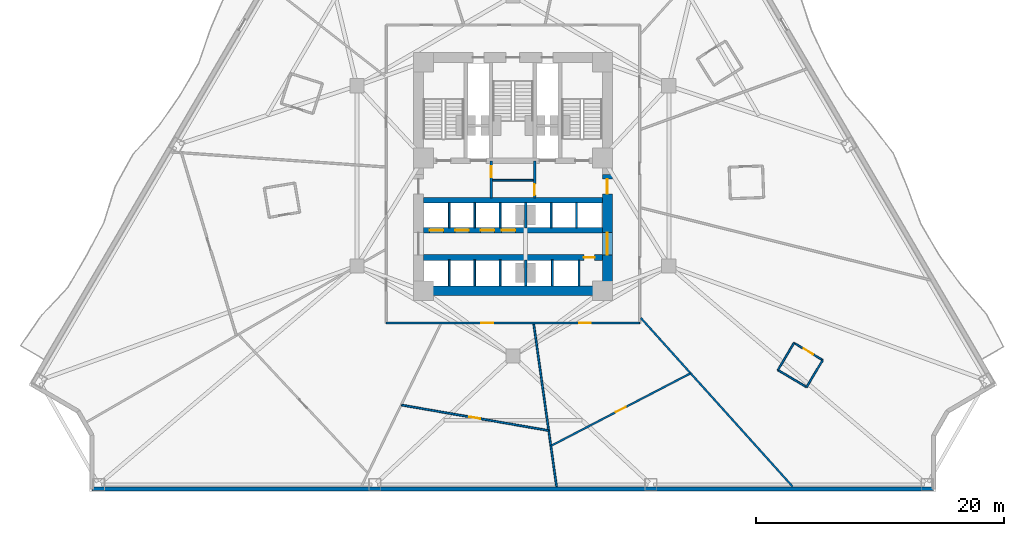
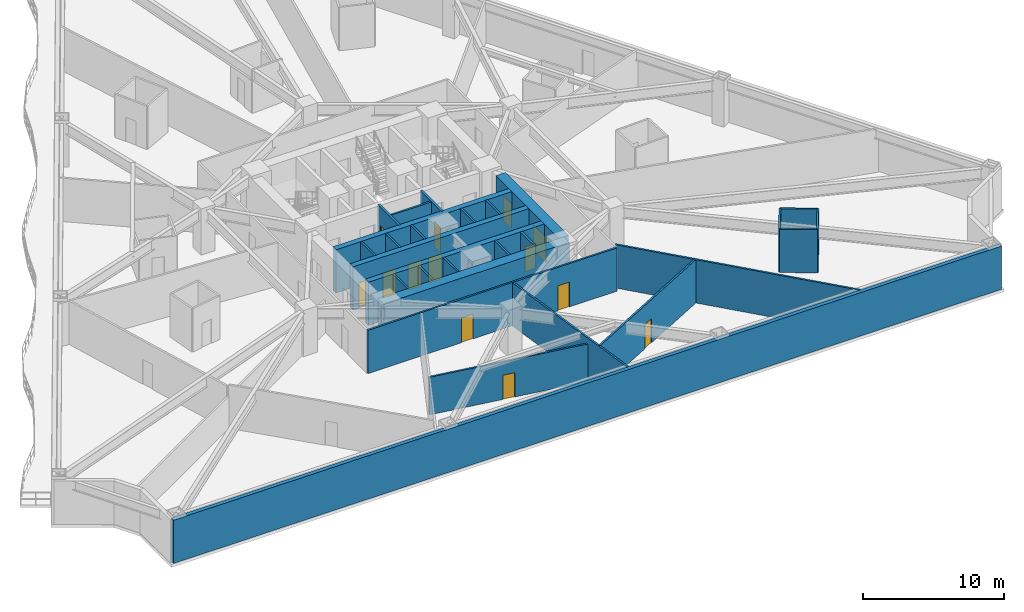
# One storey, part 4 of 11: 30 walls, 14 doors, 14 openings.
"""IFC4 building model written with IfcOpenShell, lengths in metres."""

import ifcopenshell
import ifcopenshell.guid

model = None  # the IFC model being written
_history = None  # IfcOwnerHistory: only IFC2X3 demands one
_inside = {}  # id of a spatial element -> (the spatial element, [elements in it])
_under = {}  # id of a project, library or spatial element -> (it, [spatial elements below it])
_declared = {}  # id of a project -> (the project, [libraries it declares])
_typed = {}  # id of a type object -> (the type object, [elements of that type])
_made_of = {}  # id of a material, layer set ... -> (it, [elements and type objects made of it])


def new_model(schema):
    """Start an empty IFC model of exactly this schema.

    Asked for "IFC4X3", IfcOpenShell would pick the latest addendum, in which some entities
    have other attributes; the version numbers below select the first issue.
    IFC2X3 requires an IfcOwnerHistory on every rooted entity: one is made here for all.
    """
    global model, _history
    if schema == "IFC4X3":
        model = ifcopenshell.file(schema_version=(4, 3, 0, 0))
    else:
        model = ifcopenshell.file(schema=schema)
    _inside.clear()
    _under.clear()
    _declared.clear()
    _typed.clear()
    _made_of.clear()
    _history = None
    if model.schema == "IFC2X3":
        org = make("IfcOrganization", Name="unknown")
        user = make(
            "IfcPersonAndOrganization",
            ThePerson=make("IfcPerson", FamilyName="unknown"),
            TheOrganization=org,
        )
        app = make(
            "IfcApplication",
            ApplicationDeveloper=org,
            Version="unknown",
            ApplicationFullName="unknown",
            ApplicationIdentifier="unknown",
        )
        _history = make(
            "IfcOwnerHistory",
            OwningUser=user,
            OwningApplication=app,
            ChangeAction="ADDED",
            CreationDate=0,
        )
    return model


def make(cls, **values):
    """One entity of the class cls with the attributes given. An attribute that is None is left unset."""
    return model.create_entity(
        cls, **{name: value for name, value in values.items() if value is not None}
    )


def rooted(cls, **values):
    """An entity with a GlobalId (a new one), such as an element, a storey or a relation."""
    return make(cls, GlobalId=ifcopenshell.guid.new(), OwnerHistory=_history, **values)


def si_unit(unit_type, name, prefix=None):
    """IfcSIUnit, for example si_unit("LENGTHUNIT", "METRE", prefix="MILLI")."""
    return make("IfcSIUnit", UnitType=unit_type, Prefix=prefix, Name=name)


def assignment(units):
    """IfcUnitAssignment: the units of a project."""
    return None if units is None else make("IfcUnitAssignment", Units=units)


def point(xyz):
    """IfcCartesianPoint."""
    return None if xyz is None else make("IfcCartesianPoint", Coordinates=xyz)


def direction(xyz):
    """IfcDirection."""
    return None if xyz is None else make("IfcDirection", DirectionRatios=xyz)


def frame(location, z_axis=None, x_axis=None):
    """IfcAxis2Placement3D, a coordinate frame: its origin and axes. An axis left out is left unset."""
    return make(
        "IfcAxis2Placement3D",
        Location=point(location),
        Axis=direction(z_axis),
        RefDirection=direction(x_axis),
    )


def frame_2d(location, x_axis=None):
    """IfcAxis2Placement2D, a coordinate frame in the plane: its origin and x axis."""
    return make(
        "IfcAxis2Placement2D", Location=point(location), RefDirection=direction(x_axis)
    )


def origin():
    """The frame at (0, 0, 0) with its axes left unset."""
    return frame((0.0, 0.0, 0.0))


def place(relative_to, where):
    """IfcLocalPlacement: puts the frame where relative to a parent placement (None: the world)."""
    return make(
        "IfcLocalPlacement", PlacementRelTo=relative_to, RelativePlacement=where
    )


def context(
    kind, dimensions, precision=None, world=None, true_north=None, identifier=None
):
    """IfcGeometricRepresentationContext, for example the 3D "Model" context."""
    return make(
        "IfcGeometricRepresentationContext",
        ContextIdentifier=identifier,
        ContextType=kind,
        CoordinateSpaceDimension=dimensions,
        Precision=precision,
        WorldCoordinateSystem=world,
        TrueNorth=true_north,
    )


def subcontext(parent, identifier, kind, view, scale=None):
    """IfcGeometricRepresentationSubContext, for example "Body" below "Model"."""
    return make(
        "IfcGeometricRepresentationSubContext",
        ContextIdentifier=identifier,
        ContextType=kind,
        ParentContext=parent,
        TargetScale=scale,
        TargetView=view,
    )


def project(units=None, contexts=None):
    """IfcProject with its units and contexts."""
    return rooted(
        "IfcProject",
        Name="project",
        RepresentationContexts=contexts,
        UnitsInContext=assignment(units),
    )


def spatial(cls, under=None, at=None, **own):
    """A site, building, storey or space (cls), placed at a placement, below another one or the project."""
    s = rooted(cls, ObjectPlacement=at, **own)
    if under is not None:
        _under.setdefault(under.id(), (under, []))[1].append(s)
    return s


def profile(cls, at=None, kind="AREA", **sizes):
    """A parametric profile (cls). Its sizes go by their IFC names, for example OverallWidth=200.0."""
    return make(cls, ProfileType=kind, Position=at, **sizes)


def rectangle(**sizes):
    """IfcRectangleProfileDef."""
    return profile("IfcRectangleProfileDef", **sizes)


def extrude(swept, where, along, depth):
    """IfcExtrudedAreaSolid: the profile swept, set in the frame where, extruded along a direction by depth."""
    return make(
        "IfcExtrudedAreaSolid",
        SweptArea=swept,
        Position=where,
        ExtrudedDirection=direction(along),
        Depth=depth,
    )


def shape(context_of_items, identifier, shape_type, items):
    """IfcShapeRepresentation: the items that make up one representation, for example the "Body"."""
    return make(
        "IfcShapeRepresentation",
        ContextOfItems=context_of_items,
        RepresentationIdentifier=identifier,
        RepresentationType=shape_type,
        Items=items,
    )


def material(Name=None, Category=None):
    """IfcMaterial."""
    return make("IfcMaterial", Name=Name, Category=Category)


def layer(
    of_material, thickness, ventilated=None, Name=None, Category=None, Priority=None
):
    """IfcMaterialLayer: one layer of a wall or slab, of a material (None: an air gap)."""
    return make(
        "IfcMaterialLayer",
        Material=of_material,
        LayerThickness=thickness,
        IsVentilated=ventilated,
        Name=Name,
        Category=Category,
        Priority=Priority,
    )


def layer_set(layers, Name=None):
    """IfcMaterialLayerSet."""
    return make("IfcMaterialLayerSet", MaterialLayers=layers, LayerSetName=Name)


def made_of(thing, what):
    """Note that an element or type object is made of a material, layer set ...; save() writes the relation."""
    if what is not None:
        _made_of.setdefault(what.id(), (what, []))[1].append(thing)
    return thing


def type_object(cls, material=None, **own):
    """A type object (cls), such as IfcWallType, which elements share."""
    return made_of(rooted(cls, **own), material)


def element(
    cls,
    number,
    at=None,
    inside=None,
    cuts=None,
    type_object=None,
    material=None,
    context=None,
    identifier="Body",
    shape_type=None,
    held_by="IfcProductDefinitionShape",
    body=None,
    shapes=None,
    **own,
):
    """One element of the class cls, such as IfcWall. Its Tag is "e" and its number.

    at: its placement. inside: the storey or other place that contains it. cuts: it is an
    opening in that element (IfcRelVoidsElement). A single representation is given by context,
    identifier, shape_type and body (its items); several are given by shapes. held_by: the class
    of the entity that holds the representations. save() writes the other relations.
    """
    e = rooted(cls, Tag="e%d" % number, ObjectPlacement=at, **own)
    if body is not None:
        shapes = [shape(context, identifier, shape_type, body)]
    if shapes is not None:
        e.Representation = make(held_by, Representations=shapes)
    if inside is not None:
        _inside.setdefault(inside.id(), (inside, []))[1].append(e)
    if cuts is not None:
        rooted(
            "IfcRelVoidsElement", RelatingBuildingElement=cuts, RelatedOpeningElement=e
        )
    if type_object is not None:
        _typed.setdefault(type_object.id(), (type_object, []))[1].append(e)
    return made_of(e, material)


def fill(opening, filler):
    """IfcRelFillsElement: the door or window that sits in an opening."""
    return rooted(
        "IfcRelFillsElement",
        RelatingOpeningElement=opening,
        RelatedBuildingElement=filler,
    )


def aggregate(whole, parts):
    """IfcRelAggregates: a whole, such as a stair, and the parts it consists of."""
    return rooted("IfcRelAggregates", RelatingObject=whole, RelatedObjects=parts)


def save(model, path):
    """Write the relations noted so far, then the file.

    IfcRelAggregates (storeys below a building ...), IfcRelContainedInSpatialStructure (elements
    in a storey), IfcRelDefinesByType, IfcRelAssociatesMaterial and IfcRelDeclares: one each for
    every whole, place, type object, material and project.
    """
    for whole, parts in _under.values():
        aggregate(whole, parts)
    for where, things in _inside.values():
        rooted(
            "IfcRelContainedInSpatialStructure",
            RelatedElements=things,
            RelatingStructure=where,
        )
    for kind, things in _typed.values():
        rooted("IfcRelDefinesByType", RelatedObjects=things, RelatingType=kind)
    for what, things in _made_of.values():
        rooted("IfcRelAssociatesMaterial", RelatedObjects=things, RelatingMaterial=what)
    for by, libraries in _declared.values():
        rooted("IfcRelDeclares", RelatingContext=by, RelatedDefinitions=libraries)
    model.write(path)


model = new_model("IFC4")

# Units and contexts
model_context = context("Model", 3, precision=1e-05, world=origin(), true_north=direction((0.0, 1.0)))
body_context = subcontext(model_context, "Body", "Model", "MODEL_VIEW")
ifc_project = project(units=[si_unit("LENGTHUNIT", "METRE"), si_unit("AREAUNIT", "SQUARE_METRE"), si_unit("VOLUMEUNIT", "CUBIC_METRE"), si_unit("PLANEANGLEUNIT", "RADIAN"), si_unit("MASSUNIT", "GRAM", prefix="KILO")], contexts=[model_context])

# Site, building, storey
site_placement = place(None, origin())
site = spatial("IfcSite", under=ifc_project, at=site_placement, CompositionType="ELEMENT")
building_placement = place(site_placement, origin())
building = spatial("IfcBuilding", under=site, at=building_placement, Name="Apsidion Concourse Tower", CompositionType="ELEMENT")
storey_placement = place(building_placement, frame((0.0, 0.0, 54.39990234375)))
storey = spatial("IfcBuildingStorey", under=building, at=storey_placement, Name="L11", CompositionType="ELEMENT", Elevation=54.39990234375)

# Walls
ifc_material_1 = material(Name="Precast concrete C40/50", Category="concrete")
ifc_layer_1 = layer(ifc_material_1, 0.320068359375)
ifc_layer_set_1 = layer_set([ifc_layer_1], Name="Precast concrete C40/50")
wall_type_1 = type_object("IfcWallType", Name="WL-EXT-320", PredefinedType="STANDARD", material=ifc_layer_set_1)
wall_1_placement = place(storey_placement, frame((33.88818359375, -25.199951171875, 0.0), z_axis=(0.0, 0.0, 1.0), x_axis=(-1.0, 0.0, 0.0)))
element("IfcWall", 1, at=wall_1_placement, inside=storey, type_object=wall_type_1, Name="L11 Precast Stone Facade Wall 05", PredefinedType="STANDARD", context=body_context, shape_type="SweptSolid", body=[
    extrude(rectangle(XDim=67.7763671875, YDim=0.320068359375, at=frame_2d((33.88818359375, 0.0))), origin(), (0.0, 0.0, 1.0), 3.75),
])
ifc_material_2 = material(Name="Gypsum plasterboard partition")
ifc_layer_2 = layer(ifc_material_2, 0.139892578125)
ifc_layer_set_2 = layer_set([ifc_layer_2], Name="Gypsum plasterboard partition")
wall_type_2 = type_object("IfcWallType", Name="WL-INT-PAR-140", PredefinedType="PARTITIONING", material=ifc_layer_set_2)
wall_2_placement = place(storey_placement, frame((21.3369140625, -15.629150390625, 0.0), z_axis=(0.0, 0.0, 1.0), x_axis=(0.858092929116, -0.513494425482, 0.0)))
element("IfcWall", 2, at=wall_2_placement, inside=storey, type_object=wall_type_2, Name="L11 Interior Partition WL-L11-POD-ENS04-S1", PredefinedType="PARTITIONING", context=body_context, shape_type="SweptSolid", body=[
    extrude(rectangle(XDim=2.690185546875, YDim=0.139892578125, at=frame_2d((1.34521484375, 0.0))), origin(), (0.0, 0.0, 1.0), 3.75),
])
wall_3_placement = place(storey_placement, frame((23.645263671875, -17.010498046875, 0.0), z_axis=(0.0, 0.0, 1.0), x_axis=(0.51356253356, 0.858052168649, 0.0)))
element("IfcWall", 3, at=wall_3_placement, inside=storey, type_object=wall_type_2, Name="L11 Interior Partition WL-L11-POD-ENS04-S2", PredefinedType="PARTITIONING", context=body_context, shape_type="SweptSolid", body=[
    extrude(rectangle(XDim=2.5400390625, YDim=0.139892578125, at=frame_2d((1.27001953125, 0.0))), origin(), (0.0, 0.0, 1.0), 3.75),
])

# Wall, opening, door
wall_4_placement = place(storey_placement, frame((24.94970703125, -14.8310546875, 0.0), z_axis=(0.0, 0.0, 1.0), x_axis=(-0.858092929116, 0.513494425482, 0.0)))
wall_4 = element("IfcWall", 4, at=wall_4_placement, inside=storey, type_object=wall_type_2, Name="L11 Interior Partition WL-L11-POD-ENS04-S3", PredefinedType="PARTITIONING", context=body_context, shape_type="SweptSolid", body=[
    extrude(rectangle(XDim=2.690185546875, YDim=0.139892578125, at=frame_2d((1.34521484375, 0.0))), origin(), (0.0, 0.0, 1.0), 3.75),
])
opening_1_placement = place(wall_4_placement, frame((0.905029296875, 0.0, 0.0)))
opening_1 = element("IfcOpeningElement", 5, at=opening_1_placement, cuts=wall_4, Name="Opening D-03L", PredefinedType="OPENING", context=body_context, shape_type="SweptSolid", body=[
    extrude(rectangle(XDim=0.8798828125, YDim=2.10009765625, at=frame_2d((0.43994140625, 1.050048828125))), frame((0.0, 0.080078125, 0.0), z_axis=(0.0, -1.0, 0.0), x_axis=(1.0, 0.0, 0.0)), (0.0, 0.0, 1.0), 0.159912109375),
])
ifc_material_3 = material(Name="Anodised aluminium EN AW-6063 T6", Category="aluminium")
door_type_1 = type_object("IfcDoorType", Name="DR-INT-D03L", OperationType="SINGLE_SWING_LEFT", PredefinedType="DOOR", material=ifc_material_3)
door_1_placement = place(opening_1_placement, origin())
door_1 = element("IfcDoor", 6, at=door_1_placement, inside=storey, type_object=door_type_1, Name="L11 Guest En-Suite Bathroom Door ENS04", OperationType="SINGLE_SWING_LEFT", OverallHeight=2.10009765625, OverallWidth=0.8798828125, PredefinedType="DOOR", context=body_context, shape_type="SweptSolid", body=[
    extrude(rectangle(XDim=0.8798828125, YDim=2.10009765625, at=frame_2d((0.43994140625, 1.050048828125))), frame((0.0, 0.02490234375, 0.0), z_axis=(0.0, -1.0, 0.0), x_axis=(1.0, 0.0, 0.0)), (0.0, 0.0, 1.0), 0.050048828125),
])
fill(opening_1, door_1)

# Walls
wall_5_placement = place(storey_placement, frame((22.641357421875, -13.44970703125, 0.0), z_axis=(0.0, 0.0, 1.0), x_axis=(-0.51356253356, -0.858052168649, 0.0)))
element("IfcWall", 7, at=wall_5_placement, inside=storey, type_object=wall_type_2, Name="L11 Interior Partition WL-L11-POD-ENS04-S4", PredefinedType="PARTITIONING", context=body_context, shape_type="SweptSolid", body=[
    extrude(rectangle(XDim=2.5400390625, YDim=0.139892578125, at=frame_2d((1.27001953125, 0.0))), origin(), (0.0, 0.0, 1.0), 3.75),
])
ifc_layer_3 = layer(ifc_material_2, 0.14990234375)
ifc_layer_set_3 = layer_set([ifc_layer_3], Name="Gypsum plasterboard partition")
wall_type_3 = type_object("IfcWallType", Name="WL-INT-PAR-150", PredefinedType="PARTITIONING", material=ifc_layer_set_3)
for number, where, z_axis, x_axis, name in (
    (8, (-5.125, -4.179931640625, 0.0), (0.0, 0.0, 1.0), (0.0, 1.0, 0.0), "L11 Interior Partition WL-L11-B1DIV-1"),
    (9, (-3.074951171875, -4.179931640625, 0.0), (0.0, 0.0, 1.0), (0.0, 1.0, 0.0), "L11 Interior Partition WL-L11-B1DIV-2"),
    (10, (-1.02490234375, -4.179931640625, 0.0), (0.0, 0.0, 1.0), (0.0, 1.0, 0.0), "L11 Interior Partition WL-L11-B1DIV-3"),
    (11, (3.074951171875, -4.179931640625, 0.0), (0.0, 0.0, 1.0), (0.0, 1.0, 0.0), "L11 Interior Partition WL-L11-B3DIV-1"),
    (12, (5.125, -4.179931640625, 0.0), (0.0, 0.0, 1.0), (0.0, 1.0, 0.0), "L11 Interior Partition WL-L11-B3DIV-2"),
):
    element("IfcWall", number, at=place(storey_placement, frame(where, z_axis=z_axis, x_axis=x_axis)), inside=storey, type_object=wall_type_3, Name=name, PredefinedType="PARTITIONING", context=body_context, shape_type="SweptSolid", body=[
        extrude(rectangle(XDim=2.030029296875, YDim=0.14990234375, at=frame_2d((1.01513671875, 0.0))), origin(), (0.0, 0.0, 1.0), 3.75),
    ])
for number, where, z_axis, x_axis, name in (
    (13, (-5.125, -8.85009765625, 0.0), (0.0, 0.0, 1.0), (0.0, 1.0, 0.0), "L11 Interior Partition WL-L11-B2DIV-1"),
    (14, (-3.074951171875, -8.85009765625, 0.0), (0.0, 0.0, 1.0), (0.0, 1.0, 0.0), "L11 Interior Partition WL-L11-B2DIV-2"),
    (15, (-1.02490234375, -8.85009765625, 0.0), (0.0, 0.0, 1.0), (0.0, 1.0, 0.0), "L11 Interior Partition WL-L11-B2DIV-3"),
    (16, (3.175048828125, -8.85009765625, 0.0), (0.0, 0.0, 1.0), (0.0, 1.0, 0.0), "L11 Interior Partition WL-L11-SHDIV-1"),
):
    element("IfcWall", number, at=place(storey_placement, frame(where, z_axis=z_axis, x_axis=x_axis)), inside=storey, type_object=wall_type_3, Name=name, PredefinedType="PARTITIONING", context=body_context, shape_type="SweptSolid", body=[
        extrude(rectangle(XDim=2.080078125, YDim=0.14990234375, at=frame_2d((1.0400390625, 0.0))), origin(), (0.0, 0.0, 1.0), 3.75),
    ])
wall_6_placement = place(storey_placement, frame((-1.6298828125, -0.35009765625, 0.0), z_axis=(0.0, 0.0, 1.0), x_axis=(1.0, 0.0, 0.0)))
element("IfcWall", 17, at=wall_6_placement, inside=storey, type_object=wall_type_3, Name="L11 Interior Partition WL-L11-K2H", PredefinedType="PARTITIONING", context=body_context, shape_type="SweptSolid", body=[
    extrude(rectangle(XDim=3.259765625, YDim=0.14990234375, at=frame_2d((1.6298828125, 0.0))), origin(), (0.0, 0.0, 1.0), 3.75),
])

# Wall, openings, doors
wall_7_placement = place(storey_placement, frame((10.199951171875, -11.85009765625, 0.0), z_axis=(0.0, 0.0, 1.0), x_axis=(-1.0, 0.0, 0.0)))
wall_7 = element("IfcWall", 18, at=wall_7_placement, inside=storey, type_object=wall_type_3, Name="L11 Interior Partition WL-L11-CORR-03", PredefinedType="PARTITIONING", context=body_context, shape_type="SweptSolid", body=[
    extrude(rectangle(XDim=20.39990234375, YDim=0.14990234375, at=frame_2d((10.199951171875, 0.0))), origin(), (0.0, 0.0, 1.0), 3.75),
])
opening_2_placement = place(wall_7_placement, frame((11.795654296875, 0.0, 0.0)))
opening_2 = element("IfcOpeningElement", 19, at=opening_2_placement, cuts=wall_7, Name="Opening D-01L", PredefinedType="OPENING", context=body_context, shape_type="SweptSolid", body=[
    extrude(rectangle(XDim=0.949951171875, YDim=2.14990234375, at=frame_2d((0.47509765625, 1.074951171875))), frame((0.0, 0.0849609375, 0.0), z_axis=(0.0, -1.0, 0.0), x_axis=(1.0, 0.0, 0.0)), (0.0, 0.0, 1.0), 0.169921875),
])
opening_3_placement = place(wall_7_placement, frame((3.9130859375, 0.0, 0.0)))
opening_3 = element("IfcOpeningElement", 20, at=opening_3_placement, cuts=wall_7, Name="Opening D-01R", PredefinedType="OPENING", context=body_context, shape_type="SweptSolid", body=[
    extrude(rectangle(XDim=0.949951171875, YDim=2.14990234375, at=frame_2d((0.47509765625, 1.074951171875))), frame((0.0, 0.0849609375, 0.0), z_axis=(0.0, -1.0, 0.0), x_axis=(1.0, 0.0, 0.0)), (0.0, 0.0, 1.0), 0.169921875),
])
ifc_material_4 = material(Name="Brushed stainless steel 316", Category="steel")
door_type_2 = type_object("IfcDoorType", Name="DR-INT-D01L", OperationType="SINGLE_SWING_LEFT", PredefinedType="DOOR", material=ifc_material_4)
door_2_placement = place(opening_2_placement, origin())
door_2 = element("IfcDoor", 21, at=door_2_placement, inside=storey, type_object=door_type_2, Name="L11 Corridor Entry Door 03", OperationType="SINGLE_SWING_LEFT", OverallHeight=2.14990234375, OverallWidth=0.949951171875, PredefinedType="DOOR", context=body_context, shape_type="SweptSolid", body=[
    extrude(rectangle(XDim=0.949951171875, YDim=2.14990234375, at=frame_2d((0.47509765625, 1.074951171875))), frame((0.0, 0.02490234375, 0.0), z_axis=(0.0, -1.0, 0.0), x_axis=(1.0, 0.0, 0.0)), (0.0, 0.0, 1.0), 0.050048828125),
])
fill(opening_2, door_2)
door_type_3 = type_object("IfcDoorType", Name="DR-INT-D01R", OperationType="SINGLE_SWING_RIGHT", PredefinedType="DOOR", material=ifc_material_4)
door_3_placement = place(opening_3_placement, origin())
door_3 = element("IfcDoor", 22, at=door_3_placement, inside=storey, type_object=door_type_3, Name="L11 Corridor Entry Door 04", OperationType="SINGLE_SWING_RIGHT", OverallHeight=2.14990234375, OverallWidth=0.949951171875, PredefinedType="DOOR", context=body_context, shape_type="SweptSolid", body=[
    extrude(rectangle(XDim=0.949951171875, YDim=2.14990234375, at=frame_2d((0.47509765625, 1.074951171875))), frame((0.0, 0.02490234375, 0.0), z_axis=(0.0, -1.0, 0.0), x_axis=(1.0, 0.0, 0.0)), (0.0, 0.0, 1.0), 0.050048828125),
])
fill(opening_3, door_3)

# Walls
wall_8_placement = place(storey_placement, frame((1.68017578125, -11.955078125, 0.0), z_axis=(0.0, 0.0, 1.0), x_axis=(0.139178306215, -0.990267337177, 0.0)))
element("IfcWall", 23, at=wall_8_placement, inside=storey, type_object=wall_type_3, Name="L11 Interior Partition WL-L11-RAD-09-1", PredefinedType="PARTITIONING", context=body_context, shape_type="SweptSolid", body=[
    extrude(rectangle(XDim=13.1982421875, YDim=0.14990234375, at=frame_2d((6.59912109375, 0.0))), origin(), (0.0, 0.0, 1.0), 3.75),
])
wall_9_placement = place(storey_placement, frame((10.304931640625, -11.44482421875, 0.0), z_axis=(0.0, 0.0, 1.0), x_axis=(0.669137434477, -0.743138677355, 0.0)))
element("IfcWall", 24, at=wall_9_placement, inside=storey, type_object=wall_type_3, Name="L11 Interior Partition WL-L11-RAD-10-1", PredefinedType="PARTITIONING", context=body_context, shape_type="SweptSolid", body=[
    extrude(rectangle(XDim=18.27392578125, YDim=0.14990234375, at=frame_2d((9.136962890625, 0.0))), origin(), (0.0, 0.0, 1.0), 3.75),
])

# Wall, opening, door
wall_10_placement = place(storey_placement, frame((-8.97216796875, -18.45263671875, 0.0), z_axis=(0.0, 0.0, 1.0), x_axis=(0.985300581804, -0.170829632957, 0.0)))
wall_10 = element("IfcWall", 25, at=wall_10_placement, inside=storey, type_object=wall_type_3, Name="L11 Interior Partition WL-L11-CHD-HXS02", PredefinedType="PARTITIONING", context=body_context, shape_type="SweptSolid", body=[
    extrude(rectangle(XDim=12.0048828125, YDim=0.14990234375, at=frame_2d((6.00244140625, 0.0))), origin(), (0.0, 0.0, 1.0), 3.254150390625),
])
opening_4_placement = place(wall_10_placement, frame((5.552490234375, 0.0, 0.0)))
opening_4 = element("IfcOpeningElement", 26, at=opening_4_placement, cuts=wall_10, Name="Opening D-02R", PredefinedType="OPENING", context=body_context, shape_type="SweptSolid", body=[
    extrude(rectangle(XDim=0.89990234375, YDim=2.10009765625, at=frame_2d((0.449951171875, 1.050048828125))), frame((0.0, 0.0849609375, 0.0), z_axis=(0.0, -1.0, 0.0), x_axis=(1.0, 0.0, 0.0)), (0.0, 0.0, 1.0), 0.169921875),
])
door_type_4 = type_object("IfcDoorType", Name="DR-INT-D02R", OperationType="SINGLE_SWING_RIGHT", PredefinedType="DOOR", material=ifc_material_3)
door_4_placement = place(opening_4_placement, origin())
door_4 = element("IfcDoor", 27, at=door_4_placement, inside=storey, type_object=door_type_4, Name="L11 Suite Connecting Door HXS02", OperationType="SINGLE_SWING_RIGHT", OverallHeight=2.10009765625, OverallWidth=0.89990234375, PredefinedType="DOOR", context=body_context, shape_type="SweptSolid", body=[
    extrude(rectangle(XDim=0.89990234375, YDim=2.10009765625, at=frame_2d((0.449951171875, 1.050048828125))), frame((0.0, 0.02490234375, 0.0), z_axis=(0.0, -1.0, 0.0), x_axis=(1.0, 0.0, 0.0)), (0.0, 0.0, 1.0), 0.050048828125),
])
fill(opening_4, door_4)

wall_11_placement = place(storey_placement, frame((3.079345703125, -21.731689453125, 0.0), z_axis=(0.0, 0.0, 1.0), x_axis=(0.887285458414, 0.461220679596, 0.0)))
wall_11 = element("IfcWall", 28, at=wall_11_placement, inside=storey, type_object=wall_type_3, Name="L11 Interior Partition WL-L11-CHD-HXS03", PredefinedType="PARTITIONING", context=body_context, shape_type="SweptSolid", body=[
    extrude(rectangle(XDim=12.632080078125, YDim=0.14990234375, at=frame_2d((6.31591796875, 0.0))), origin(), (0.0, 0.0, 1.0), 3.75),
])
opening_5_placement = place(wall_11_placement, frame((5.865966796875, 0.0, 0.0)))
opening_5 = element("IfcOpeningElement", 29, at=opening_5_placement, cuts=wall_11, Name="Opening D-02L", PredefinedType="OPENING", context=body_context, shape_type="SweptSolid", body=[
    extrude(rectangle(XDim=0.89990234375, YDim=2.10009765625, at=frame_2d((0.449951171875, 1.050048828125))), frame((0.0, 0.0849609375, 0.0), z_axis=(0.0, -1.0, 0.0), x_axis=(1.0, 0.0, 0.0)), (0.0, 0.0, 1.0), 0.169921875),
])
door_type_5 = type_object("IfcDoorType", Name="DR-INT-D02L", OperationType="SINGLE_SWING_LEFT", PredefinedType="DOOR", material=ifc_material_3)
door_5_placement = place(opening_5_placement, origin())
door_5 = element("IfcDoor", 30, at=door_5_placement, inside=storey, type_object=door_type_5, Name="L11 Suite Connecting Door HXS03", OperationType="SINGLE_SWING_LEFT", OverallHeight=2.10009765625, OverallWidth=0.89990234375, PredefinedType="DOOR", context=body_context, shape_type="SweptSolid", body=[
    extrude(rectangle(XDim=0.89990234375, YDim=2.10009765625, at=frame_2d((0.449951171875, 1.050048828125))), frame((0.0, 0.02490234375, 0.0), z_axis=(0.0, -1.0, 0.0), x_axis=(1.0, 0.0, 0.0)), (0.0, 0.0, 1.0), 0.050048828125),
])
fill(opening_5, door_5)

# Walls
ifc_layer_4 = layer(ifc_material_2, 0.179931640625)
ifc_layer_set_4 = layer_set([ifc_layer_4], Name="Gypsum plasterboard partition")
wall_type_4 = type_object("IfcWallType", Name="WL-INT-PAR-180", PredefinedType="PARTITIONING", material=ifc_layer_set_4)
wall_12_placement = place(storey_placement, frame((1.02490234375, -4.179931640625, 0.0), z_axis=(0.0, 0.0, 1.0), x_axis=(0.0, 1.0, 0.0)))
element("IfcWall", 31, at=wall_12_placement, inside=storey, type_object=wall_type_4, Name="L11 Interior Partition WL-L11-B1END", PredefinedType="PARTITIONING", context=body_context, shape_type="SweptSolid", body=[
    extrude(rectangle(XDim=2.030029296875, YDim=0.179931640625, at=frame_2d((1.01513671875, 0.0))), origin(), (0.0, 0.0, 1.0), 2.798095703125),
])
wall_13_placement = place(storey_placement, frame((1.02490234375, -8.85009765625, 0.0), z_axis=(0.0, 0.0, 1.0), x_axis=(0.0, 1.0, 0.0)))
element("IfcWall", 32, at=wall_13_placement, inside=storey, type_object=wall_type_4, Name="L11 Interior Partition WL-L11-B2END", PredefinedType="PARTITIONING", context=body_context, shape_type="SweptSolid", body=[
    extrude(rectangle(XDim=2.080078125, YDim=0.179931640625, at=frame_2d((1.0400390625, 0.0))), origin(), (0.0, 0.0, 1.0), 2.798095703125),
])
wall_14_placement = place(storey_placement, frame((5.324951171875, -8.85009765625, 0.0), z_axis=(0.0, 0.0, 1.0), x_axis=(0.0, 1.0, 0.0)))
element("IfcWall", 33, at=wall_14_placement, inside=storey, type_object=wall_type_4, Name="L11 Interior Partition WL-L11-SHDIV-2", PredefinedType="PARTITIONING", context=body_context, shape_type="SweptSolid", body=[
    extrude(rectangle(XDim=2.080078125, YDim=0.179931640625, at=frame_2d((1.0400390625, 0.0))), origin(), (0.0, 0.0, 1.0), 3.75),
])

# Wall, opening, door
ifc_layer_5 = layer(ifc_material_2, 0.199951171875)
ifc_layer_set_5 = layer_set([ifc_layer_5], Name="Gypsum plasterboard partition")
wall_type_5 = type_object("IfcWallType", Name="WL-INT-PAR-200", PredefinedType="PARTITIONING", material=ifc_layer_set_5)
wall_15_placement = place(storey_placement, frame((-1.739990234375, -1.780029296875, 0.0), z_axis=(0.0, 0.0, 1.0), x_axis=(0.0, 1.0, 0.0)))
wall_15 = element("IfcWall", 34, at=wall_15_placement, inside=storey, type_object=wall_type_5, Name="L11 Interior Partition WL-L11-FF1-E", PredefinedType="PARTITIONING", context=body_context, shape_type="SweptSolid", body=[
    extrude(rectangle(XDim=2.97998046875, YDim=0.199951171875, at=frame_2d((1.489990234375, 0.0))), origin(), (0.0, 0.0, 1.0), 3.75),
])
opening_6_placement = place(wall_15_placement, frame((1.68994140625, 0.0, 0.0)))
opening_6 = element("IfcOpeningElement", 35, at=opening_6_placement, cuts=wall_15, Name="Opening D-05L", PredefinedType="OPENING", context=body_context, shape_type="SweptSolid", body=[
    extrude(rectangle(XDim=0.8798828125, YDim=2.14990234375, at=frame_2d((0.43994140625, 1.074951171875))), frame((0.0, 0.10986328125, 0.0), z_axis=(0.0, -1.0, 0.0), x_axis=(1.0, 0.0, 0.0)), (0.0, 0.0, 1.0), 0.219970703125),
])
door_type_6 = type_object("IfcDoorType", Name="DR-INT-D05L", OperationType="SINGLE_SWING_LEFT", PredefinedType="DOOR", material=ifc_material_4)
door_6_placement = place(opening_6_placement, origin())
door_6 = element("IfcDoor", 36, at=door_6_placement, inside=storey, type_object=door_type_6, Name="L11 Core Staff WC Door", OperationType="SINGLE_SWING_LEFT", OverallHeight=2.14990234375, OverallWidth=0.8798828125, PredefinedType="DOOR", context=body_context, shape_type="SweptSolid", body=[
    extrude(rectangle(XDim=0.8798828125, YDim=2.14990234375, at=frame_2d((0.43994140625, 1.074951171875))), frame((0.0, 0.02490234375, 0.0), z_axis=(0.0, -1.0, 0.0), x_axis=(1.0, 0.0, 0.0)), (0.0, 0.0, 1.0), 0.050048828125),
])
fill(opening_6, door_6)

wall_16_placement = place(storey_placement, frame((1.739990234375, -1.780029296875, 0.0), z_axis=(0.0, 0.0, 1.0), x_axis=(0.0, 1.0, 0.0)))
wall_16 = element("IfcWall", 37, at=wall_16_placement, inside=storey, type_object=wall_type_5, Name="L11 Interior Partition WL-L11-FF2-W", PredefinedType="PARTITIONING", context=body_context, shape_type="SweptSolid", body=[
    extrude(rectangle(XDim=2.97998046875, YDim=0.199951171875, at=frame_2d((1.489990234375, 0.0))), origin(), (0.0, 0.0, 1.0), 3.75),
])
opening_7_placement = place(wall_16_placement, frame((0.239990234375, 0.0, 0.0)))
opening_7 = element("IfcOpeningElement", 38, at=opening_7_placement, cuts=wall_16, Name="Opening D-05R", PredefinedType="OPENING", context=body_context, shape_type="SweptSolid", body=[
    extrude(rectangle(XDim=0.8798828125, YDim=2.14990234375, at=frame_2d((0.43994140625, 1.074951171875))), frame((0.0, 0.10986328125, 0.0), z_axis=(0.0, -1.0, 0.0), x_axis=(1.0, 0.0, 0.0)), (0.0, 0.0, 1.0), 0.219970703125),
])
door_type_7 = type_object("IfcDoorType", Name="DR-INT-D05R", OperationType="SINGLE_SWING_RIGHT", PredefinedType="DOOR", material=ifc_material_4)
door_7_placement = place(opening_7_placement, origin())
door_7 = element("IfcDoor", 39, at=door_7_placement, inside=storey, type_object=door_type_7, Name="L11 Core Supply Store Door", OperationType="SINGLE_SWING_RIGHT", OverallHeight=2.14990234375, OverallWidth=0.8798828125, PredefinedType="DOOR", context=body_context, shape_type="SweptSolid", body=[
    extrude(rectangle(XDim=0.8798828125, YDim=2.14990234375, at=frame_2d((0.43994140625, 1.074951171875))), frame((0.0, 0.02490234375, 0.0), z_axis=(0.0, -1.0, 0.0), x_axis=(1.0, 0.0, 0.0)), (0.0, 0.0, 1.0), 0.050048828125),
])
fill(opening_7, door_7)

# Wall
ifc_material_5 = material(Name="Concrete C60/75", Category="concrete")
ifc_layer_6 = layer(ifc_material_5, 0.449951171875)
ifc_layer_set_6 = layer_set([ifc_layer_6], Name="Concrete C60/75")
wall_type_6 = type_object("IfcWallType", Name="WL-SH-450", PredefinedType="SHEAR", material=ifc_layer_set_6)
wall_17_placement = place(storey_placement, frame((-7.199951171875, -1.949951171875, 0.0), z_axis=(0.0, 0.0, 1.0), x_axis=(1.0, 0.0, 0.0)))
element("IfcWall", 40, at=wall_17_placement, inside=storey, type_object=wall_type_6, Name="L11 Central Core Shear Wall M2", PredefinedType="SHEAR", context=body_context, shape_type="SweptSolid", body=[
    extrude(rectangle(XDim=14.39990234375, YDim=0.449951171875, at=frame_2d((7.199951171875, 0.0))), origin(), (0.0, 0.0, 1.0), 3.75),
])

# Wall, openings, doors
wall_18_placement = place(storey_placement, frame((-7.199951171875, -4.3798828125, 0.0), z_axis=(0.0, 0.0, 1.0), x_axis=(1.0, 0.0, 0.0)))
wall_18 = element("IfcWall", 41, at=wall_18_placement, inside=storey, type_object=wall_type_6, Name="L11 Central Core Shear Wall LA", PredefinedType="SHEAR", context=body_context, shape_type="SweptSolid", body=[
    extrude(rectangle(XDim=14.39990234375, YDim=0.449951171875, at=frame_2d((7.199951171875, 0.0))), origin(), (0.0, 0.0, 1.0), 3.75),
])
opening_8_placement = place(wall_18_placement, frame((0.5, 0.0, 0.0)))
opening_8 = element("IfcOpeningElement", 42, at=opening_8_placement, cuts=wall_18, Name="Opening LD-P1", PredefinedType="OPENING", context=body_context, shape_type="SweptSolid", body=[
    extrude(rectangle(XDim=1.10009765625, YDim=2.199951171875, at=frame_2d((0.550048828125, 1.10009765625))), frame((0.0, 0.23486328125, 0.0), z_axis=(0.0, -1.0, 0.0), x_axis=(1.0, 0.0, 0.0)), (0.0, 0.0, 1.0), 0.469970703125),
])
opening_9_placement = place(wall_18_placement, frame((2.550048828125, 0.0, 0.0)))
opening_9 = element("IfcOpeningElement", 43, at=opening_9_placement, cuts=wall_18, Name="Opening LD-P1", PredefinedType="OPENING", context=body_context, shape_type="SweptSolid", body=[
    extrude(rectangle(XDim=1.10009765625, YDim=2.199951171875, at=frame_2d((0.550048828125, 1.10009765625))), frame((0.0, 0.23486328125, 0.0), z_axis=(0.0, -1.0, 0.0), x_axis=(1.0, 0.0, 0.0)), (0.0, 0.0, 1.0), 0.469970703125),
])
opening_10_placement = place(wall_18_placement, frame((4.60009765625, 0.0, 0.0)))
opening_10 = element("IfcOpeningElement", 44, at=opening_10_placement, cuts=wall_18, Name="Opening LD-P1", PredefinedType="OPENING", context=body_context, shape_type="SweptSolid", body=[
    extrude(rectangle(XDim=1.10009765625, YDim=2.199951171875, at=frame_2d((0.550048828125, 1.10009765625))), frame((0.0, 0.23486328125, 0.0), z_axis=(0.0, -1.0, 0.0), x_axis=(1.0, 0.0, 0.0)), (0.0, 0.0, 1.0), 0.469970703125),
])
opening_11_placement = place(wall_18_placement, frame((6.300048828125, 0.0, 0.0)))
opening_11 = element("IfcOpeningElement", 45, at=opening_11_placement, cuts=wall_18, Name="Opening LD-P1", PredefinedType="OPENING", context=body_context, shape_type="SweptSolid", body=[
    extrude(rectangle(XDim=1.10009765625, YDim=2.199951171875, at=frame_2d((0.550048828125, 1.10009765625))), frame((0.0, 0.23486328125, 0.0), z_axis=(0.0, -1.0, 0.0), x_axis=(1.0, 0.0, 0.0)), (0.0, 0.0, 1.0), 0.469970703125),
])
door_type_8 = type_object("IfcDoorType", Name="DR-LD-PASS", OperationType="DOUBLE_DOOR_SLIDING", PredefinedType="DOOR", material=ifc_material_4)
door_8_placement = place(opening_8_placement, origin())
door_8 = element("IfcDoor", 46, at=door_8_placement, inside=storey, type_object=door_type_8, Name="L11 Lift Landing Door P1", OperationType="DOUBLE_DOOR_SLIDING", OverallHeight=2.199951171875, OverallWidth=1.10009765625, PredefinedType="DOOR", context=body_context, shape_type="SweptSolid", body=[
    extrude(rectangle(XDim=1.10009765625, YDim=2.199951171875, at=frame_2d((0.550048828125, 1.10009765625))), frame((0.0, 0.02490234375, 0.0), z_axis=(0.0, -1.0, 0.0), x_axis=(1.0, 0.0, 0.0)), (0.0, 0.0, 1.0), 0.050048828125),
])
fill(opening_8, door_8)
door_9_placement = place(opening_9_placement, origin())
door_9 = element("IfcDoor", 47, at=door_9_placement, inside=storey, type_object=door_type_8, Name="L11 Lift Landing Door P2", OperationType="DOUBLE_DOOR_SLIDING", OverallHeight=2.199951171875, OverallWidth=1.10009765625, PredefinedType="DOOR", context=body_context, shape_type="SweptSolid", body=[
    extrude(rectangle(XDim=1.10009765625, YDim=2.199951171875, at=frame_2d((0.550048828125, 1.10009765625))), frame((0.0, 0.02490234375, 0.0), z_axis=(0.0, -1.0, 0.0), x_axis=(1.0, 0.0, 0.0)), (0.0, 0.0, 1.0), 0.050048828125),
])
fill(opening_9, door_9)
door_10_placement = place(opening_10_placement, origin())
door_10 = element("IfcDoor", 48, at=door_10_placement, inside=storey, type_object=door_type_8, Name="L11 Lift Landing Door P3", OperationType="DOUBLE_DOOR_SLIDING", OverallHeight=2.199951171875, OverallWidth=1.10009765625, PredefinedType="DOOR", context=body_context, shape_type="SweptSolid", body=[
    extrude(rectangle(XDim=1.10009765625, YDim=2.199951171875, at=frame_2d((0.550048828125, 1.10009765625))), frame((0.0, 0.02490234375, 0.0), z_axis=(0.0, -1.0, 0.0), x_axis=(1.0, 0.0, 0.0)), (0.0, 0.0, 1.0), 0.050048828125),
])
fill(opening_10, door_10)
door_11_placement = place(opening_11_placement, origin())
door_11 = element("IfcDoor", 49, at=door_11_placement, inside=storey, type_object=door_type_8, Name="L11 Lift Landing Door P4", OperationType="DOUBLE_DOOR_SLIDING", OverallHeight=2.199951171875, OverallWidth=1.10009765625, PredefinedType="DOOR", context=body_context, shape_type="SweptSolid", body=[
    extrude(rectangle(XDim=1.10009765625, YDim=2.199951171875, at=frame_2d((0.550048828125, 1.10009765625))), frame((0.0, 0.02490234375, 0.0), z_axis=(0.0, -1.0, 0.0), x_axis=(1.0, 0.0, 0.0)), (0.0, 0.0, 1.0), 0.050048828125),
])
fill(opening_11, door_11)

# Wall, opening, door
wall_19_placement = place(storey_placement, frame((-7.199951171875, -6.570068359375, 0.0), z_axis=(0.0, 0.0, 1.0), x_axis=(1.0, 0.0, 0.0)))
wall_19 = element("IfcWall", 50, at=wall_19_placement, inside=storey, type_object=wall_type_6, Name="L11 Central Core Shear Wall LB", PredefinedType="SHEAR", context=body_context, shape_type="SweptSolid", body=[
    extrude(rectangle(XDim=14.39990234375, YDim=0.449951171875, at=frame_2d((7.199951171875, 0.0))), origin(), (0.0, 0.0, 1.0), 3.75),
])
opening_12_placement = place(wall_19_placement, frame((12.909912109375, 0.0, 0.0)))
opening_12 = element("IfcOpeningElement", 51, at=opening_12_placement, cuts=wall_19, Name="Opening D-05L", PredefinedType="OPENING", context=body_context, shape_type="SweptSolid", body=[
    extrude(rectangle(XDim=0.8798828125, YDim=2.14990234375, at=frame_2d((0.43994140625, 1.074951171875))), frame((0.0, 0.23486328125, 0.0), z_axis=(0.0, -1.0, 0.0), x_axis=(1.0, 0.0, 0.0)), (0.0, 0.0, 1.0), 0.469970703125),
])
door_12_placement = place(opening_12_placement, origin())
door_12 = element("IfcDoor", 52, at=door_12_placement, inside=storey, type_object=door_type_6, Name="L11 Cleaners Store Door", OperationType="SINGLE_SWING_LEFT", OverallHeight=2.14990234375, OverallWidth=0.8798828125, PredefinedType="DOOR", context=body_context, shape_type="SweptSolid", body=[
    extrude(rectangle(XDim=0.8798828125, YDim=2.14990234375, at=frame_2d((0.43994140625, 1.074951171875))), frame((0.0, 0.02490234375, 0.0), z_axis=(0.0, -1.0, 0.0), x_axis=(1.0, 0.0, 0.0)), (0.0, 0.0, 1.0), 0.050048828125),
])
fill(opening_12, door_12)

# Wall, openings, doors
ifc_layer_7 = layer(ifc_material_5, 0.800048828125)
ifc_layer_set_7 = layer_set([ifc_layer_7], Name="Concrete C60/75")
wall_type_7 = type_object("IfcWallType", Name="WL-SH-800", PredefinedType="SHEAR", material=ifc_layer_set_7)
wall_20_placement = place(storey_placement, frame((7.60009765625, -8.85009765625, 0.0), z_axis=(0.0, 0.0, 1.0), x_axis=(0.0, 1.0, 0.0)))
wall_20 = element("IfcWall", 53, at=wall_20_placement, inside=storey, type_object=wall_type_7, Name="L11 Central Core Shear Wall ES", PredefinedType="SHEAR", context=body_context, shape_type="SweptSolid", body=[
    extrude(rectangle(XDim=8.9501953125, YDim=0.800048828125, at=frame_2d((4.47509765625, 0.0))), origin(), (0.0, 0.0, 1.0), 3.75),
])
opening_13_placement = place(wall_20_placement, frame((2.489990234375, 0.0, 0.0)))
opening_13 = element("IfcOpeningElement", 54, at=opening_13_placement, cuts=wall_20, Name="Opening D-06D", PredefinedType="OPENING", context=body_context, shape_type="SweptSolid", body=[
    extrude(rectangle(XDim=1.800048828125, YDim=2.199951171875, at=frame_2d((0.89990234375, 1.10009765625))), frame((0.0, 0.41015625, 0.0), z_axis=(0.0, -1.0, 0.0), x_axis=(1.0, 0.0, 0.0)), (0.0, 0.0, 1.0), 0.820068359375),
])
opening_14_placement = place(wall_20_placement, frame((7.39990234375, 0.0, 0.0)))
opening_14 = element("IfcOpeningElement", 55, at=opening_14_placement, cuts=wall_20, Name="Opening D-FFR", PredefinedType="OPENING", context=body_context, shape_type="SweptSolid", body=[
    extrude(rectangle(XDim=1.199951171875, YDim=2.14990234375, at=frame_2d((0.60009765625, 1.074951171875))), frame((0.0, 0.41015625, 0.0), z_axis=(0.0, -1.0, 0.0), x_axis=(1.0, 0.0, 0.0)), (0.0, 0.0, 1.0), 0.820068359375),
])
door_type_9 = type_object("IfcDoorType", Name="DR-INT-D06D", OperationType="DOUBLE_DOOR_SINGLE_SWING", PredefinedType="DOOR", material=ifc_material_4)
door_13_placement = place(opening_13_placement, origin())
door_13 = element("IfcDoor", 56, at=door_13_placement, inside=storey, type_object=door_type_9, Name="L11 Passenger Lift Lobby ES Portal Door", OperationType="DOUBLE_DOOR_SINGLE_SWING", OverallHeight=2.199951171875, OverallWidth=1.800048828125, PredefinedType="DOOR", context=body_context, shape_type="SweptSolid", body=[
    extrude(rectangle(XDim=1.800048828125, YDim=2.199951171875, at=frame_2d((0.89990234375, 1.10009765625))), frame((0.0, 0.02490234375, 0.0), z_axis=(0.0, -1.0, 0.0), x_axis=(1.0, 0.0, 0.0)), (0.0, 0.0, 1.0), 0.050048828125),
])
fill(opening_13, door_13)
door_type_10 = type_object("IfcDoorType", Name="DR-INT-FFR", OperationType="SINGLE_SWING_RIGHT", PredefinedType="DOOR", material=ifc_material_4)
door_14_placement = place(opening_14_placement, origin())
door_14 = element("IfcDoor", 57, at=door_14_placement, inside=storey, type_object=door_type_10, Name="L11 Firefighting Lift Lobby FF2 Door", OperationType="SINGLE_SWING_RIGHT", OverallHeight=2.14990234375, OverallWidth=1.199951171875, PredefinedType="DOOR", context=body_context, shape_type="SweptSolid", body=[
    extrude(rectangle(XDim=1.199951171875, YDim=2.14990234375, at=frame_2d((0.60009765625, 1.074951171875))), frame((0.0, 0.02490234375, 0.0), z_axis=(0.0, -1.0, 0.0), x_axis=(1.0, 0.0, 0.0)), (0.0, 0.0, 1.0), 0.050048828125),
])
fill(opening_14, door_14)

# Wall
wall_21_placement = place(storey_placement, frame((-7.60009765625, -9.25, 0.0), z_axis=(0.0, 0.0, 1.0), x_axis=(1.0, 0.0, 0.0)))
element("IfcWall", 58, at=wall_21_placement, inside=storey, type_object=wall_type_7, Name="L11 Central Core Shear Wall S", PredefinedType="SHEAR", context=body_context, shape_type="SweptSolid", body=[
    extrude(rectangle(XDim=15.2001953125, YDim=0.800048828125, at=frame_2d((7.60009765625, 0.0))), origin(), (0.0, 0.0, 1.0), 3.75),
])

save(model, "model.ifc")
